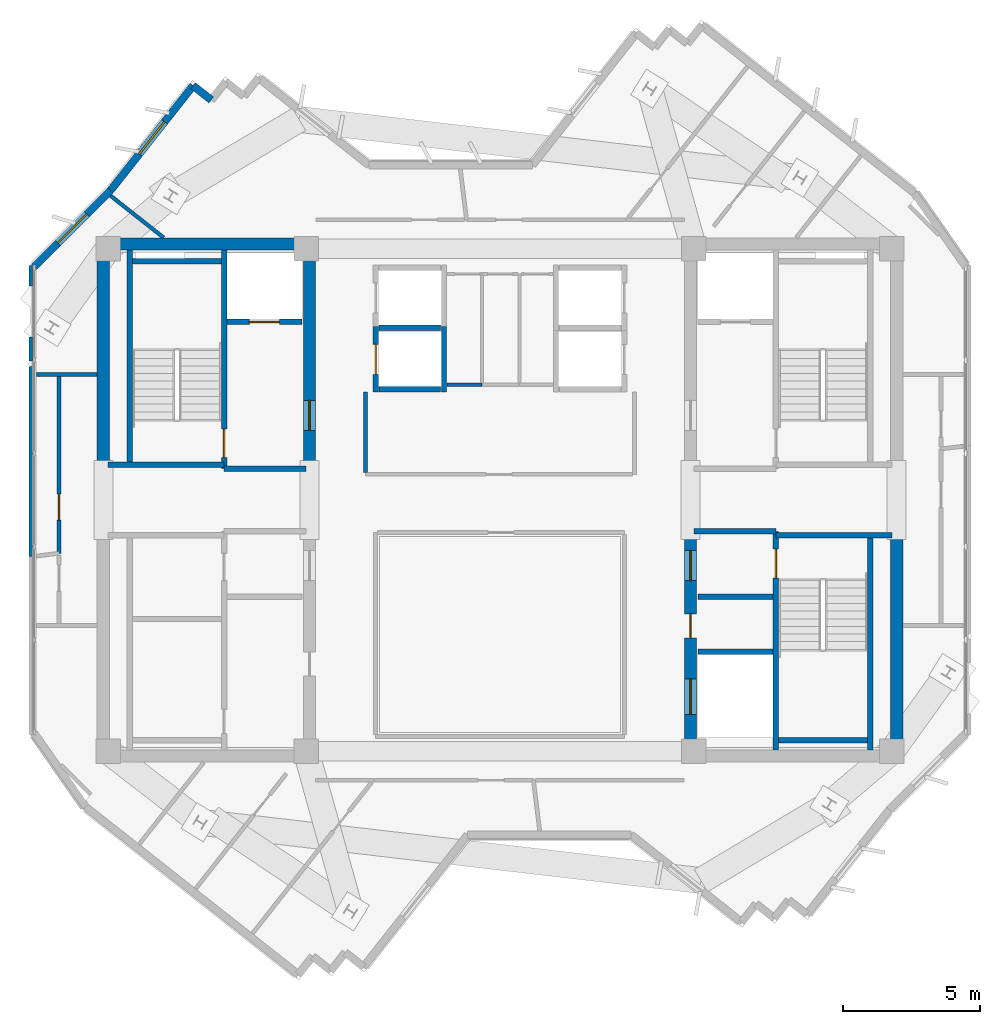
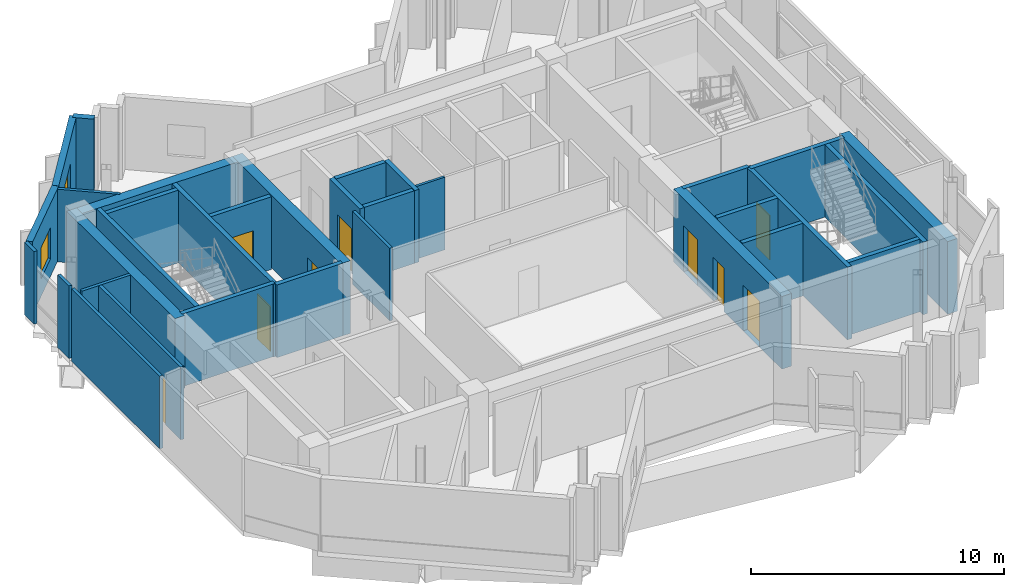
# One storey, part 6 of 10: 33 walls, 9 doors, 2 windows, 11 openings.
"""IFC4 building model written with IfcOpenShell, lengths in metres."""

from ifc_helpers import new_model, si_unit, direction, frame, frame_2d, origin, place, context, subcontext, project, spatial, rectangle, extrude, source, transform, mapped, material, layer, layer_set, type_object, element, fill, save


model = new_model("IFC4")

# Units and contexts
model_context = context("Model", 3, precision=1e-05, world=origin(), true_north=direction((0.0, 1.0)))
body_context = subcontext(model_context, "Body", "Model", "MODEL_VIEW")
ifc_project = project(units=[si_unit("LENGTHUNIT", "METRE"), si_unit("AREAUNIT", "SQUARE_METRE"), si_unit("VOLUMEUNIT", "CUBIC_METRE"), si_unit("PLANEANGLEUNIT", "RADIAN"), si_unit("MASSUNIT", "GRAM", prefix="KILO")], contexts=[model_context])

# Site, building, storey
site_placement = place(None, origin())
site = spatial("IfcSite", under=ifc_project, at=site_placement, CompositionType="ELEMENT")
building_placement = place(site_placement, origin())
building = spatial("IfcBuilding", under=site, at=building_placement, Name="Zahravan Cultural Tower", CompositionType="ELEMENT")
storey_placement = place(building_placement, frame((0.0, 0.0, 319.800048828125)))
storey = spatial("IfcBuildingStorey", under=building, at=storey_placement, Name="L77", CompositionType="ELEMENT", Elevation=319.800048828125)

# Wall, opening, door
ifc_material_1 = material(Name="Concrete C50/60", Category="concrete")
ifc_layer_1 = layer(ifc_material_1, 0.449951171875)
ifc_layer_set_1 = layer_set([ifc_layer_1], Name="Concrete C50/60")
wall_type_1 = type_object("IfcWallType", Name="CW-SHEAR-450-C50", PredefinedType="SHEAR", material=ifc_layer_set_1)
wall_1_placement = place(storey_placement, frame((29.02490234375, 28.050048828125, 0.0), z_axis=(0.0, 0.0, 1.0), x_axis=(0.0, 1.0, 0.0)))
wall_1 = element("IfcWall", 1, at=wall_1_placement, inside=storey, type_object=wall_type_1, Name="L77 Core Shear Wall CW-W-EN-L77", PredefinedType="SHEAR", context=body_context, shape_type="SweptSolid", body=[
    extrude(rectangle(XDim=8.550048828125, YDim=0.449951171875, at=frame_2d((4.27490234375, 0.0))), origin(), (0.0, 0.0, 1.0), 3.5),
])
opening_1_placement = place(wall_1_placement, frame((1.5, 0.0, 0.0)))
opening_1 = element("IfcOpeningElement", 2, at=opening_1_placement, cuts=wall_1, Name="Opening D-L77-06", PredefinedType="OPENING", context=body_context, shape_type="SweptSolid", body=[
    extrude(rectangle(XDim=1.10009765625, YDim=2.199951171875, at=frame_2d((0.550048828125, 1.10009765625))), frame((0.0, 0.23486328125, 0.0), z_axis=(0.0, -1.0, 0.0), x_axis=(1.0, 0.0, 0.0)), (0.0, 0.0, 1.0), 0.469970703125),
])
ifc_material_2 = material(Name="Steel ASTM A572 Grade 50", Category="steel")
door_type_1 = type_object("IfcDoorType", Name="DR-LOBBY-1100", OperationType="NOTDEFINED", PredefinedType="DOOR", material=ifc_material_2)
shared_shape_1 = source(origin(), body_context, "Body", "SweptSolid", [
    extrude(rectangle(XDim=1.10009765625, YDim=2.199951171875, at=frame_2d((0.550048828125, 1.10009765625))), frame((0.0, 0.02490234375, 0.0), z_axis=(0.0, -1.0, 0.0), x_axis=(1.0, 0.0, 0.0)), (0.0, 0.0, 1.0), 0.050048828125),
])
door_1_placement = place(opening_1_placement, origin())
door_1 = element("IfcDoor", 3, at=door_1_placement, inside=storey, type_object=door_type_1, Name="L77 Door D-L77-06", OperationType="SINGLE_SWING_RIGHT", OverallHeight=2.199951171875, OverallWidth=1.10009765625, PredefinedType="DOOR", context=body_context, shape_type="MappedRepresentation", body=[
    mapped(shared_shape_1, transform((0.0, 0.0, 0.0), x_axis=(1.0, 0.0, 0.0), y_axis=(0.0, 1.0, 0.0), z_axis=(0.0, 0.0, 1.0), scale=1.0)),
])
fill(opening_1, door_1)

# Wall, openings, doors
wall_2_placement = place(storey_placement, frame((42.97509765625, 17.39990234375, 0.0), z_axis=(0.0, 0.0, 1.0), x_axis=(0.0, 1.0, 0.0)))
wall_2 = element("IfcWall", 4, at=wall_2_placement, inside=storey, type_object=wall_type_1, Name="L77 Core Shear Wall CW-E-WS-L77", PredefinedType="SHEAR", context=body_context, shape_type="SweptSolid", body=[
    extrude(rectangle(XDim=8.550048828125, YDim=0.449951171875, at=frame_2d((4.27490234375, 0.0))), origin(), (0.0, 0.0, 1.0), 3.5),
])
opening_2_placement = place(wall_2_placement, frame((6.64990234375, 0.0, 0.0)))
opening_2 = element("IfcOpeningElement", 5, at=opening_2_placement, cuts=wall_2, Name="Opening D-L77-09", PredefinedType="OPENING", context=body_context, shape_type="SweptSolid", body=[
    extrude(rectangle(XDim=1.10009765625, YDim=2.199951171875, at=frame_2d((0.550048828125, 1.10009765625))), frame((0.0, 0.23486328125, 0.0), z_axis=(0.0, -1.0, 0.0), x_axis=(1.0, 0.0, 0.0)), (0.0, 0.0, 1.0), 0.469970703125),
])
opening_3_placement = place(wall_2_placement, frame((1.75, 0.0, 0.0)))
opening_3 = element("IfcOpeningElement", 6, at=opening_3_placement, cuts=wall_2, Name="Opening LD-L77-03", PredefinedType="OPENING", context=body_context, shape_type="SweptSolid", body=[
    extrude(rectangle(XDim=1.300048828125, YDim=2.199951171875, at=frame_2d((0.64990234375, 1.10009765625))), frame((0.0, 0.23486328125, 0.0), z_axis=(0.0, -1.0, 0.0), x_axis=(1.0, 0.0, 0.0)), (0.0, 0.0, 1.0), 0.469970703125),
])
opening_4_placement = place(wall_2_placement, frame((4.550048828125, 0.0, 0.0)))
opening_4 = element("IfcOpeningElement", 7, at=opening_4_placement, cuts=wall_2, Name="Opening D-L77-11", PredefinedType="OPENING", context=body_context, shape_type="SweptSolid", body=[
    extrude(rectangle(XDim=0.8798828125, YDim=2.10009765625, at=frame_2d((0.43994140625, 1.050048828125))), frame((0.0, 0.23486328125, 0.0), z_axis=(0.0, -1.0, 0.0), x_axis=(1.0, 0.0, 0.0)), (0.0, 0.0, 1.0), 0.469970703125),
])
door_2_placement = place(opening_2_placement, origin())
door_2 = element("IfcDoor", 8, at=door_2_placement, inside=storey, type_object=door_type_1, Name="L77 Door D-L77-09", OperationType="SINGLE_SWING_LEFT", OverallHeight=2.199951171875, OverallWidth=1.10009765625, PredefinedType="DOOR", context=body_context, shape_type="MappedRepresentation", body=[
    mapped(shared_shape_1, transform((0.0, 0.0, 0.0), x_axis=(1.0, 0.0, 0.0), y_axis=(0.0, 1.0, 0.0), z_axis=(0.0, 0.0, 1.0), scale=1.0)),
])
fill(opening_2, door_2)
door_type_2 = type_object("IfcDoorType", Name="DR-LIFT-1300", OperationType="DOUBLE_DOOR_SLIDING", PredefinedType="DOOR", material=ifc_material_2)
shared_shape_2 = source(origin(), body_context, "Body", "SweptSolid", [
    extrude(rectangle(XDim=1.300048828125, YDim=2.199951171875, at=frame_2d((0.64990234375, 1.10009765625))), frame((0.0, 0.02490234375, 0.0), z_axis=(0.0, -1.0, 0.0), x_axis=(1.0, 0.0, 0.0)), (0.0, 0.0, 1.0), 0.050048828125),
])
door_3_placement = place(opening_3_placement, origin())
door_3 = element("IfcDoor", 9, at=door_3_placement, inside=storey, type_object=door_type_2, Name="L77 Door LD-L77-03", OperationType="DOUBLE_DOOR_SLIDING", OverallHeight=2.199951171875, OverallWidth=1.300048828125, PredefinedType="DOOR", context=body_context, shape_type="MappedRepresentation", body=[
    mapped(shared_shape_2, transform((0.0, 0.0, 0.0), x_axis=(1.0, 0.0, 0.0), y_axis=(0.0, 1.0, 0.0), z_axis=(0.0, 0.0, 1.0), scale=1.0)),
])
fill(opening_3, door_3)
door_type_3 = type_object("IfcDoorType", Name="DR-SVC-880", OperationType="NOTDEFINED", PredefinedType="DOOR", material=ifc_material_2)
shared_shape_3 = source(origin(), body_context, "Body", "SweptSolid", [
    extrude(rectangle(XDim=0.8798828125, YDim=2.10009765625, at=frame_2d((0.43994140625, 1.050048828125))), frame((0.0, 0.02490234375, 0.0), z_axis=(0.0, -1.0, 0.0), x_axis=(1.0, 0.0, 0.0)), (0.0, 0.0, 1.0), 0.050048828125),
])
door_4_placement = place(opening_4_placement, origin())
door_4 = element("IfcDoor", 10, at=door_4_placement, inside=storey, type_object=door_type_3, Name="L77 Door D-L77-11", OperationType="SINGLE_SWING_LEFT", OverallHeight=2.10009765625, OverallWidth=0.8798828125, PredefinedType="DOOR", context=body_context, shape_type="MappedRepresentation", body=[
    mapped(shared_shape_3, transform((0.0, 0.0, 0.0), x_axis=(1.0, 0.0, 0.0), y_axis=(0.0, 1.0, 0.0), z_axis=(0.0, 0.0, 1.0), scale=1.0)),
])
fill(opening_4, door_4)

# Wall, opening, window
ifc_material_3 = material(Name="Precast concrete C40/50", Category="concrete")
ifc_layer_2 = layer(ifc_material_3, 0.280029296875)
ifc_layer_set_2 = layer_set([ifc_layer_2], Name="Precast concrete C40/50")
wall_type_2 = type_object("IfcWallType", Name="EW-TC-280", PredefinedType="SOLIDWALL", material=ifc_layer_set_2)
wall_3_placement = place(storey_placement, frame((18.93994140625, 35.5419921875, 0.0), z_axis=(0.0, 0.0, 1.0), x_axis=(0.707106781187, 0.707106781187, 0.0)))
wall_3 = element("IfcWall", 11, at=wall_3_placement, inside=storey, type_object=wall_type_2, Name="L77 Exterior Masonry Frame Wall 01", PredefinedType="SOLIDWALL", context=body_context, shape_type="SweptSolid", body=[
    extrude(rectangle(XDim=3.96337890625, YDim=0.280029296875, at=frame_2d((1.981689453125, 0.0))), origin(), (0.0, 0.0, 1.0), 3.5),
])
opening_5_placement = place(wall_3_placement, frame((1.23193359375, 0.0, 0.85009765625)))
opening_5 = element("IfcOpeningElement", 12, at=opening_5_placement, cuts=wall_3, Name="Opening WN-03", PredefinedType="OPENING", context=body_context, shape_type="SweptSolid", body=[
    extrude(rectangle(XDim=1.5, YDim=1.5, at=frame_2d((0.75, 0.75))), frame((0.0, 0.14990234375, 0.0), z_axis=(0.0, -1.0, 0.0), x_axis=(1.0, 0.0, 0.0)), (0.0, 0.0, 1.0), 0.300048828125),
])
ifc_material_4 = material(Name="Low-E solar-control double glazing", Category="glass")
window_type = type_object("IfcWindowType", Name="WN-REC-1500X1500", PartitioningType="SINGLE_PANEL", PredefinedType="WINDOW", material=ifc_material_4)
shared_shape_4 = source(origin(), body_context, "Body", "SweptSolid", [
    extrude(rectangle(XDim=1.5, YDim=1.5, at=frame_2d((0.75, 0.75))), frame((0.0, 0.030029296875, 0.0), z_axis=(0.0, -1.0, 0.0), x_axis=(1.0, 0.0, 0.0)), (0.0, 0.0, 1.0), 0.06005859375),
])
window_1_placement = place(opening_5_placement, origin())
window_1 = element("IfcWindow", 13, at=window_1_placement, inside=storey, type_object=window_type, Name="L77 Recessed Solar Window 01", OverallHeight=1.5, OverallWidth=1.5, PartitioningType="SINGLE_PANEL", PredefinedType="WINDOW", context=body_context, shape_type="MappedRepresentation", body=[
    mapped(shared_shape_4, transform((0.0, 0.0, 0.0), x_axis=(1.0, 0.0, 0.0), y_axis=(0.0, 1.0, 0.0), z_axis=(0.0, 0.0, 1.0), scale=1.0)),
])
fill(opening_5, window_1)

wall_4_placement = place(storey_placement, frame((21.742431640625, 38.344482421875, 0.0), z_axis=(0.0, 0.0, 1.0), x_axis=(0.619093990715, 0.785316898239, 0.0)))
wall_4 = element("IfcWall", 14, at=wall_4_placement, inside=storey, type_object=wall_type_2, Name="L77 Exterior Masonry Frame Wall 02", PredefinedType="SOLIDWALL", context=body_context, shape_type="SweptSolid", body=[
    extrude(rectangle(XDim=4.877685546875, YDim=0.280029296875, at=frame_2d((2.43896484375, 0.0))), origin(), (0.0, 0.0, 1.0), 3.5),
])
opening_6_placement = place(wall_4_placement, frame((1.68896484375, 0.0, 0.85009765625)))
opening_6 = element("IfcOpeningElement", 15, at=opening_6_placement, cuts=wall_4, Name="Opening WN-03", PredefinedType="OPENING", context=body_context, shape_type="SweptSolid", body=[
    extrude(rectangle(XDim=1.5, YDim=1.5, at=frame_2d((0.75, 0.75))), frame((0.0, 0.14990234375, 0.0), z_axis=(0.0, -1.0, 0.0), x_axis=(1.0, 0.0, 0.0)), (0.0, 0.0, 1.0), 0.300048828125),
])
window_2_placement = place(opening_6_placement, origin())
window_2 = element("IfcWindow", 16, at=window_2_placement, inside=storey, type_object=window_type, Name="L77 Recessed Solar Window 02", OverallHeight=1.5, OverallWidth=1.5, PartitioningType="SINGLE_PANEL", PredefinedType="WINDOW", context=body_context, shape_type="MappedRepresentation", body=[
    mapped(shared_shape_4, transform((0.0, 0.0, 0.0), x_axis=(1.0, 0.0, 0.0), y_axis=(0.0, 1.0, 0.0), z_axis=(0.0, 0.0, 1.0), scale=1.0)),
])
fill(opening_6, window_2)

# Wall, opening, door
ifc_material_5 = material(Name="Gypsum plasterboard partition")
ifc_layer_3 = layer(ifc_material_5, 0.139892578125)
ifc_layer_set_3 = layer_set([ifc_layer_3], Name="Gypsum plasterboard partition")
wall_type_3 = type_object("IfcWallType", Name="W-PART-140", PredefinedType="PARTITIONING", material=ifc_layer_set_3)
wall_5_placement = place(storey_placement, frame((19.8525390625, 31.522705078125, 0.0), z_axis=(0.0, 0.0, 1.0), x_axis=(-0.000377187662, -0.999999928865, 0.0)))
wall_5 = element("IfcWall", 17, at=wall_5_placement, inside=storey, type_object=wall_type_3, Name="L77 Interior Wall 058", PredefinedType="PARTITIONING", context=body_context, shape_type="SweptSolid", body=[
    extrude(rectangle(XDim=6.47265625, YDim=0.139892578125, at=frame_2d((3.236328125, 0.0))), origin(), (0.0, 0.0, 1.0), 3.5),
])
opening_7_placement = place(wall_5_placement, frame((4.3076171875, 0.0, 0.0)))
opening_7 = element("IfcOpeningElement", 18, at=opening_7_placement, cuts=wall_5, Name="Opening D-L77-20", PredefinedType="OPENING", context=body_context, shape_type="SweptSolid", body=[
    extrude(rectangle(XDim=0.949951171875, YDim=2.14990234375, at=frame_2d((0.47509765625, 1.074951171875))), frame((0.0, 0.079833984375, 0.0), z_axis=(0.0, -1.0, 0.0), x_axis=(1.0, 0.0, 0.0)), (0.0, 0.0, 1.0), 0.159912109375),
])
ifc_material_6 = material(Name="Anodised bronze-aluminium mullion", Category="aluminium")
door_type_4 = type_object("IfcDoorType", Name="DR-ROOM-950", OperationType="NOTDEFINED", PredefinedType="DOOR", material=ifc_material_6)
shared_shape_5 = source(origin(), body_context, "Body", "SweptSolid", [
    extrude(rectangle(XDim=0.949951171875, YDim=2.14990234375, at=frame_2d((0.47509765625, 1.074951171875))), frame((0.0, 0.02490234375, 0.0), z_axis=(0.0, -1.0, 0.0), x_axis=(1.0, 0.0, 0.0)), (0.0, 0.0, 1.0), 0.050048828125),
])
door_5_placement = place(opening_7_placement, origin())
door_5 = element("IfcDoor", 19, at=door_5_placement, inside=storey, type_object=door_type_4, Name="L77 Door D-L77-20", OperationType="SINGLE_SWING_RIGHT", OverallHeight=2.14990234375, OverallWidth=0.949951171875, PredefinedType="DOOR", context=body_context, shape_type="MappedRepresentation", body=[
    mapped(shared_shape_5, transform((0.0, 0.0, 0.0), x_axis=(1.0, 0.0, 0.0), y_axis=(0.0, 1.0, 0.0), z_axis=(0.0, 0.0, 1.0), scale=1.0)),
])
fill(opening_7, door_5)

ifc_material_7 = material(Name="Concrete C45/55", Category="concrete")
ifc_layer_4 = layer(ifc_material_7, 0.199951171875)
ifc_layer_set_4 = layer_set([ifc_layer_4], Name="Concrete C45/55")
wall_type_4 = type_object("IfcWallType", Name="W-SHAFT-200", PredefinedType="SOLIDWALL", material=ifc_layer_set_4)
wall_6_placement = place(storey_placement, frame((25.89990234375, 28.14990234375, 0.0), z_axis=(0.0, 0.0, 1.0), x_axis=(0.0, 1.0, 0.0)))
wall_6 = element("IfcWall", 20, at=wall_6_placement, inside=storey, type_object=wall_type_4, Name="L77 Interior Wall 006", PredefinedType="SOLIDWALL", context=body_context, shape_type="SweptSolid", body=[
    extrude(rectangle(XDim=8.0, YDim=0.199951171875, at=frame_2d((4.0, 0.0))), origin(), (0.0, 0.0, 1.0), 3.5),
])
opening_8_placement = place(wall_6_placement, frame((0.39990234375, 0.0, 0.0)))
opening_8 = element("IfcOpeningElement", 21, at=opening_8_placement, cuts=wall_6, Name="Opening D-L77-01", PredefinedType="OPENING", context=body_context, shape_type="SweptSolid", body=[
    extrude(rectangle(XDim=1.050048828125, YDim=2.14990234375, at=frame_2d((0.52490234375, 1.074951171875))), frame((0.0, 0.10986328125, 0.0), z_axis=(0.0, -1.0, 0.0), x_axis=(1.0, 0.0, 0.0)), (0.0, 0.0, 1.0), 0.219970703125),
])
door_type_5 = type_object("IfcDoorType", Name="DR-STAIR-1050", OperationType="NOTDEFINED", PredefinedType="DOOR", material=ifc_material_2)
shared_shape_6 = source(origin(), body_context, "Body", "SweptSolid", [
    extrude(rectangle(XDim=1.050048828125, YDim=2.14990234375, at=frame_2d((0.52490234375, 1.074951171875))), frame((0.0, 0.02490234375, 0.0), z_axis=(0.0, -1.0, 0.0), x_axis=(1.0, 0.0, 0.0)), (0.0, 0.0, 1.0), 0.050048828125),
])
door_6_placement = place(opening_8_placement, origin())
door_6 = element("IfcDoor", 22, at=door_6_placement, inside=storey, type_object=door_type_5, Name="L77 Door D-L77-01", OperationType="SINGLE_SWING_LEFT", OverallHeight=2.14990234375, OverallWidth=1.050048828125, PredefinedType="DOOR", context=body_context, shape_type="MappedRepresentation", body=[
    mapped(shared_shape_6, transform((0.0, 0.0, 0.0), x_axis=(1.0, 0.0, 0.0), y_axis=(0.0, 1.0, 0.0), z_axis=(0.0, 0.0, 1.0), scale=1.0)),
])
fill(opening_8, door_6)

wall_7_placement = place(storey_placement, frame((46.10009765625, 17.85009765625, 0.0), z_axis=(0.0, 0.0, 1.0), x_axis=(0.0, 1.0, 0.0)))
wall_7 = element("IfcWall", 23, at=wall_7_placement, inside=storey, type_object=wall_type_4, Name="L77 Interior Wall 007", PredefinedType="SOLIDWALL", context=body_context, shape_type="SweptSolid", body=[
    extrude(rectangle(XDim=8.0, YDim=0.199951171875, at=frame_2d((4.0, 0.0))), origin(), (0.0, 0.0, 1.0), 3.5),
])
opening_9_placement = place(wall_7_placement, frame((6.300048828125, 0.0, 0.0)))
opening_9 = element("IfcOpeningElement", 24, at=opening_9_placement, cuts=wall_7, Name="Opening D-L77-03", PredefinedType="OPENING", context=body_context, shape_type="SweptSolid", body=[
    extrude(rectangle(XDim=1.050048828125, YDim=2.14990234375, at=frame_2d((0.52490234375, 1.074951171875))), frame((0.0, 0.10986328125, 0.0), z_axis=(0.0, -1.0, 0.0), x_axis=(1.0, 0.0, 0.0)), (0.0, 0.0, 1.0), 0.219970703125),
])
door_7_placement = place(opening_9_placement, origin())
door_7 = element("IfcDoor", 25, at=door_7_placement, inside=storey, type_object=door_type_5, Name="L77 Door D-L77-03", OperationType="SINGLE_SWING_LEFT", OverallHeight=2.14990234375, OverallWidth=1.050048828125, PredefinedType="DOOR", context=body_context, shape_type="MappedRepresentation", body=[
    mapped(shared_shape_6, transform((0.0, 0.0, 0.0), x_axis=(1.0, 0.0, 0.0), y_axis=(0.0, 1.0, 0.0), z_axis=(0.0, 0.0, 1.0), scale=1.0)),
])
fill(opening_9, door_7)

wall_8_placement = place(storey_placement, frame((26.0, 33.52001953125, 0.0), z_axis=(0.0, 0.0, 1.0), x_axis=(1.0, 0.0, 0.0)))
wall_8 = element("IfcWall", 26, at=wall_8_placement, inside=storey, type_object=wall_type_4, Name="L77 Interior Wall 022", PredefinedType="SOLIDWALL", context=body_context, shape_type="SweptSolid", body=[
    extrude(rectangle(XDim=2.75, YDim=0.199951171875, at=frame_2d((1.375, 0.0))), origin(), (0.0, 0.0, 1.0), 3.5),
])
opening_10_placement = place(wall_8_placement, frame((0.820068359375, 0.0, 0.0)))
opening_10 = element("IfcOpeningElement", 27, at=opening_10_placement, cuts=wall_8, Name="Opening LD-L77-01", PredefinedType="OPENING", context=body_context, shape_type="SweptSolid", body=[
    extrude(rectangle(XDim=1.10009765625, YDim=2.14990234375, at=frame_2d((0.550048828125, 1.074951171875))), frame((0.0, 0.10986328125, 0.0), z_axis=(0.0, -1.0, 0.0), x_axis=(1.0, 0.0, 0.0)), (0.0, 0.0, 1.0), 0.219970703125),
])
door_type_6 = type_object("IfcDoorType", Name="DR-LIFT-1100", OperationType="DOUBLE_DOOR_SLIDING", PredefinedType="DOOR", material=ifc_material_2)
shared_shape_7 = source(origin(), body_context, "Body", "SweptSolid", [
    extrude(rectangle(XDim=1.10009765625, YDim=2.14990234375, at=frame_2d((0.550048828125, 1.074951171875))), frame((0.0, 0.02490234375, 0.0), z_axis=(0.0, -1.0, 0.0), x_axis=(1.0, 0.0, 0.0)), (0.0, 0.0, 1.0), 0.050048828125),
])
door_8_placement = place(opening_10_placement, origin())
door_8 = element("IfcDoor", 28, at=door_8_placement, inside=storey, type_object=door_type_6, Name="L77 Door LD-L77-01", OperationType="DOUBLE_DOOR_SLIDING", OverallHeight=2.14990234375, OverallWidth=1.10009765625, PredefinedType="DOOR", context=body_context, shape_type="MappedRepresentation", body=[
    mapped(shared_shape_7, transform((0.0, 0.0, 0.0), x_axis=(1.0, 0.0, 0.0), y_axis=(0.0, 1.0, 0.0), z_axis=(0.0, 0.0, 1.0), scale=1.0)),
])
fill(opening_10, door_8)

wall_9_placement = place(storey_placement, frame((31.449951171875, 30.949951171875, 0.0), z_axis=(0.0, 0.0, 1.0), x_axis=(0.0, 1.0, 0.0)))
wall_9 = element("IfcWall", 29, at=wall_9_placement, inside=storey, type_object=wall_type_4, Name="L77 Interior Wall 031", PredefinedType="SOLIDWALL", context=body_context, shape_type="SweptSolid", body=[
    extrude(rectangle(XDim=2.400146484375, YDim=0.199951171875, at=frame_2d((1.2001953125, 0.0))), origin(), (0.0, 0.0, 1.0), 3.5),
])
opening_11_placement = place(wall_9_placement, frame((0.64990234375, 0.0, 0.0)))
opening_11 = element("IfcOpeningElement", 30, at=opening_11_placement, cuts=wall_9, Name="Opening LD-L77-05", PredefinedType="OPENING", context=body_context, shape_type="SweptSolid", body=[
    extrude(rectangle(XDim=1.10009765625, YDim=2.14990234375, at=frame_2d((0.550048828125, 1.074951171875))), frame((0.0, 0.10986328125, 0.0), z_axis=(0.0, -1.0, 0.0), x_axis=(1.0, 0.0, 0.0)), (0.0, 0.0, 1.0), 0.219970703125),
])
door_9_placement = place(opening_11_placement, origin())
door_9 = element("IfcDoor", 31, at=door_9_placement, inside=storey, type_object=door_type_6, Name="L77 Door LD-L77-05", OperationType="DOUBLE_DOOR_SLIDING", OverallHeight=2.14990234375, OverallWidth=1.10009765625, PredefinedType="DOOR", context=body_context, shape_type="MappedRepresentation", body=[
    mapped(shared_shape_7, transform((0.0, 0.0, 0.0), x_axis=(1.0, 0.0, 0.0), y_axis=(0.0, 1.0, 0.0), z_axis=(0.0, 0.0, 1.0), scale=1.0)),
])
fill(opening_11, door_9)

# Walls
shared_shape_8 = source(origin(), body_context, "Body", "SweptSolid", [
    extrude(rectangle(XDim=8.550048828125, YDim=0.449951171875, at=frame_2d((4.27490234375, 0.0))), origin(), (0.0, 0.0, 1.0), 3.5),
])
for number, where, z_axis, x_axis, name in (
    (32, (21.47509765625, 28.050048828125, 0.0), (0.0, 0.0, 1.0), (0.0, 1.0, 0.0), "L77 Core Shear Wall CW-W-WN-L77"),
    (33, (50.52490234375, 17.39990234375, 0.0), (0.0, 0.0, 1.0), (0.0, 1.0, 0.0), "L77 Core Shear Wall CW-E-ES-L77"),
):
    element("IfcWall", number, at=place(storey_placement, frame(where, z_axis=z_axis, x_axis=x_axis)), inside=storey, type_object=wall_type_1, Name=name, PredefinedType="SHEAR", context=body_context, shape_type="MappedRepresentation", body=[
        mapped(shared_shape_8, transform((0.0, 0.0, 0.0), x_axis=(1.0, 0.0, 0.0), y_axis=(0.0, 1.0, 0.0), z_axis=(0.0, 0.0, 1.0), scale=1.0)),
    ])
shared_shape_9 = source(origin(), body_context, "Body", "SweptSolid", [
    extrude(rectangle(XDim=7.10009765625, YDim=0.449951171875, at=frame_2d((3.550048828125, 0.0))), origin(), (0.0, 0.0, 1.0), 3.5),
])
wall_10_placement = place(storey_placement, frame((21.699951171875, 36.375, 0.0), z_axis=(0.0, 0.0, 1.0), x_axis=(1.0, 0.0, 0.0)))
element("IfcWall", 34, at=wall_10_placement, inside=storey, type_object=wall_type_1, Name="L77 Core Shear Wall CW-W-N-L77", PredefinedType="SHEAR", context=body_context, shape_type="MappedRepresentation", body=[
    mapped(shared_shape_9, transform((0.0, 0.0, 0.0), x_axis=(1.0, 0.0, 0.0), y_axis=(0.0, 1.0, 0.0), z_axis=(0.0, 0.0, 1.0), scale=1.0)),
])
shared_shape_10 = source(origin(), body_context, "Body", "SweptSolid", [
    extrude(rectangle(XDim=0.849853515625, YDim=0.280029296875, at=frame_2d((0.4248046875, 0.0))), origin(), (0.0, 0.0, 1.0), 3.5),
])
wall_11_placement = place(storey_placement, frame((24.76220703125, 42.175048828125, 0.0), z_axis=(0.0, 0.0, 1.0), x_axis=(0.785360476625, -0.619038707801, 0.0)))
element("IfcWall", 35, at=wall_11_placement, inside=storey, type_object=wall_type_2, Name="L77 Exterior Masonry Frame Wall 03", PredefinedType="SOLIDWALL", context=body_context, shape_type="MappedRepresentation", body=[
    mapped(shared_shape_10, transform((0.0, 0.0, 0.0), x_axis=(1.0, 0.0, 0.0), y_axis=(0.0, 1.0, 0.0), z_axis=(0.0, 0.0, 1.0), scale=1.0)),
])
shared_shape_11 = source(origin(), body_context, "Body", "SweptSolid", [
    extrude(rectangle(XDim=7.869873046875, YDim=0.199951171875, at=frame_2d((3.93505859375, 0.0))), origin(), (0.0, 0.0, 1.0), 3.5),
])
for number, where, z_axis, x_axis, name in (
    (36, (22.449951171875, 28.280029296875, 0.0), (0.0, 0.0, 1.0), (0.0, 1.0, 0.0), "L77 Interior Wall 002"),
    (37, (49.550048828125, 17.85009765625, 0.0), (0.0, 0.0, 1.0), (0.0, 1.0, 0.0), "L77 Interior Wall 003"),
):
    element("IfcWall", number, at=place(storey_placement, frame(where, z_axis=z_axis, x_axis=x_axis)), inside=storey, type_object=wall_type_4, Name=name, PredefinedType="SOLIDWALL", context=body_context, shape_type="MappedRepresentation", body=[
        mapped(shared_shape_11, transform((0.0, 0.0, 0.0), x_axis=(1.0, 0.0, 0.0), y_axis=(0.0, 1.0, 0.0), z_axis=(0.0, 0.0, 1.0), scale=1.0)),
    ])
shared_shape_12 = source(origin(), body_context, "Body", "SweptSolid", [
    extrude(rectangle(XDim=4.25, YDim=0.199951171875, at=frame_2d((2.125, 0.0))), origin(), (0.0, 0.0, 1.0), 3.5),
])
for number, where, z_axis, x_axis, name in (
    (38, (21.64990234375, 28.284912109375, 0.0), (0.0, 0.0, 1.0), (1.0, 0.0, 0.0), "L77 Interior Wall 011"),
    (39, (46.10009765625, 25.715087890625, 0.0), (0.0, 0.0, 1.0), (1.0, 0.0, 0.0), "L77 Interior Wall 014"),
):
    element("IfcWall", number, at=place(storey_placement, frame(where, z_axis=z_axis, x_axis=x_axis)), inside=storey, type_object=wall_type_4, Name=name, PredefinedType="SOLIDWALL", context=body_context, shape_type="MappedRepresentation", body=[
        mapped(shared_shape_12, transform((0.0, 0.0, 0.0), x_axis=(1.0, 0.0, 0.0), y_axis=(0.0, 1.0, 0.0), z_axis=(0.0, 0.0, 1.0), scale=1.0)),
    ])
shared_shape_13 = source(origin(), body_context, "Body", "SweptSolid", [
    extrude(rectangle(XDim=3.0, YDim=0.199951171875, at=frame_2d((1.5, 0.0))), origin(), (0.0, 0.0, 1.0), 3.5),
])
for number, where, z_axis, x_axis, name in (
    (40, (25.89990234375, 28.14990234375, 0.0), (0.0, 0.0, 1.0), (1.0, 0.0, 0.0), "L77 Interior Wall 012"),
    (41, (43.10009765625, 25.85009765625, 0.0), (0.0, 0.0, 1.0), (1.0, 0.0, 0.0), "L77 Interior Wall 013"),
):
    element("IfcWall", number, at=place(storey_placement, frame(where, z_axis=z_axis, x_axis=x_axis)), inside=storey, type_object=wall_type_4, Name=name, PredefinedType="SOLIDWALL", context=body_context, shape_type="MappedRepresentation", body=[
        mapped(shared_shape_13, transform((0.0, 0.0, 0.0), x_axis=(1.0, 0.0, 0.0), y_axis=(0.0, 1.0, 0.0), z_axis=(0.0, 0.0, 1.0), scale=1.0)),
    ])
shared_shape_14 = source(origin(), body_context, "Body", "SweptSolid", [
    extrude(rectangle(XDim=3.25, YDim=0.199951171875, at=frame_2d((1.625, 0.0))), origin(), (0.0, 0.0, 1.0), 3.5),
])
for number, where, z_axis, x_axis, name in (
    (42, (22.550048828125, 35.75, 0.0), (0.0, 0.0, 1.0), (1.0, 0.0, 0.0), "L77 Interior Wall 017"),
    (43, (46.199951171875, 18.199951171875, 0.0), (0.0, 0.0, 1.0), (1.0, 0.0, 0.0), "L77 Interior Wall 020"),
):
    element("IfcWall", number, at=place(storey_placement, frame(where, z_axis=z_axis, x_axis=x_axis)), inside=storey, type_object=wall_type_4, Name=name, PredefinedType="SOLIDWALL", context=body_context, shape_type="MappedRepresentation", body=[
        mapped(shared_shape_14, transform((0.0, 0.0, 0.0), x_axis=(1.0, 0.0, 0.0), y_axis=(0.0, 1.0, 0.0), z_axis=(0.0, 0.0, 1.0), scale=1.0)),
    ])
shared_shape_15 = source(origin(), body_context, "Body", "SweptSolid", [
    extrude(rectangle(XDim=2.75, YDim=0.199951171875, at=frame_2d((1.375, 0.0))), origin(), (0.0, 0.0, 1.0), 3.5),
])
for number, where, z_axis, x_axis, name in (
    (44, (43.25, 23.449951171875, 0.0), (0.0, 0.0, 1.0), (1.0, 0.0, 0.0), "L77 Interior Wall 025"),
    (45, (43.25, 21.449951171875, 0.0), (0.0, 0.0, 1.0), (1.0, 0.0, 0.0), "L77 Interior Wall 026"),
):
    element("IfcWall", number, at=place(storey_placement, frame(where, z_axis=z_axis, x_axis=x_axis)), inside=storey, type_object=wall_type_4, Name=name, PredefinedType="SOLIDWALL", context=body_context, shape_type="MappedRepresentation", body=[
        mapped(shared_shape_15, transform((0.0, 0.0, 0.0), x_axis=(1.0, 0.0, 0.0), y_axis=(0.0, 1.0, 0.0), z_axis=(0.0, 0.0, 1.0), scale=1.0)),
    ])
shared_shape_16 = source(origin(), body_context, "Body", "SweptSolid", [
    extrude(rectangle(XDim=2.400146484375, YDim=0.199951171875, at=frame_2d((1.2001953125, 0.0))), origin(), (0.0, 0.0, 1.0), 3.5),
])
wall_12_placement = place(storey_placement, frame((33.949951171875, 30.949951171875, 0.0), z_axis=(0.0, 0.0, 1.0), x_axis=(0.0, 1.0, 0.0)))
element("IfcWall", 46, at=wall_12_placement, inside=storey, type_object=wall_type_4, Name="L77 Interior Wall 032", PredefinedType="SOLIDWALL", context=body_context, shape_type="MappedRepresentation", body=[
    mapped(shared_shape_16, transform((0.0, 0.0, 0.0), x_axis=(1.0, 0.0, 0.0), y_axis=(0.0, 1.0, 0.0), z_axis=(0.0, 0.0, 1.0), scale=1.0)),
])
shared_shape_17 = source(origin(), body_context, "Body", "SweptSolid", [
    extrude(rectangle(XDim=2.260009765625, YDim=0.199951171875, at=frame_2d((1.1298828125, 0.0))), origin(), (0.0, 0.0, 1.0), 3.5),
])
for number, where, z_axis, x_axis, name in (
    (47, (31.570068359375, 33.300048828125, 0.0), (0.0, 0.0, 1.0), (1.0, 0.0, 0.0), "L77 Interior Wall 029"),
    (48, (31.570068359375, 31.050048828125, 0.0), (0.0, 0.0, 1.0), (1.0, 0.0, 0.0), "L77 Interior Wall 033"),
):
    element("IfcWall", number, at=place(storey_placement, frame(where, z_axis=z_axis, x_axis=x_axis)), inside=storey, type_object=wall_type_4, Name=name, PredefinedType="SOLIDWALL", context=body_context, shape_type="MappedRepresentation", body=[
        mapped(shared_shape_17, transform((0.0, 0.0, 0.0), x_axis=(1.0, 0.0, 0.0), y_axis=(0.0, 1.0, 0.0), z_axis=(0.0, 0.0, 1.0), scale=1.0)),
    ])
ifc_layer_5 = layer(ifc_material_5, 0.114990234375)
ifc_layer_set_5 = layer_set([ifc_layer_5], Name="Gypsum plasterboard partition")
wall_type_5 = type_object("IfcWallType", Name="W-WC-115", PredefinedType="PARTITIONING", material=ifc_layer_set_5)
shared_shape_18 = source(origin(), body_context, "Body", "SweptSolid", [
    extrude(rectangle(XDim=1.28515625, YDim=0.114990234375, at=frame_2d((0.642578125, 0.0))), origin(), (0.0, 0.0, 1.0), 3.5),
])
wall_13_placement = place(storey_placement, frame((35.340087890625, 31.219970703125, 0.0), z_axis=(0.0, 0.0, 1.0), x_axis=(-1.0, 0.0, 0.0)))
element("IfcWall", 49, at=wall_13_placement, inside=storey, type_object=wall_type_5, Name="L77 Interior Wall 044", PredefinedType="PARTITIONING", context=body_context, shape_type="MappedRepresentation", body=[
    mapped(shared_shape_18, transform((0.0, 0.0, 0.0), x_axis=(1.0, 0.0, 0.0), y_axis=(0.0, 1.0, 0.0), z_axis=(0.0, 0.0, 1.0), scale=1.0)),
])
shared_shape_19 = source(origin(), body_context, "Body", "SweptSolid", [
    extrude(rectangle(XDim=2.93505859375, YDim=0.139892578125, at=frame_2d((1.467529296875, 0.0))), origin(), (0.0, 0.0, 1.0), 3.5),
])
wall_14_placement = place(storey_placement, frame((31.080078125, 28.014892578125, 0.0), z_axis=(0.0, 0.0, 1.0), x_axis=(0.0, 1.0, 0.0)))
element("IfcWall", 50, at=wall_14_placement, inside=storey, type_object=wall_type_3, Name="L77 Interior Wall 075", PredefinedType="PARTITIONING", context=body_context, shape_type="MappedRepresentation", body=[
    mapped(shared_shape_19, transform((0.0, 0.0, 0.0), x_axis=(1.0, 0.0, 0.0), y_axis=(0.0, 1.0, 0.0), z_axis=(0.0, 0.0, 1.0), scale=1.0)),
])
shared_shape_20 = source(origin(), body_context, "Body", "SweptSolid", [
    extrude(rectangle(XDim=2.215087890625, YDim=0.139892578125, at=frame_2d((1.107421875, 0.0))), origin(), (0.0, 0.0, 1.0), 3.5),
])
wall_15_placement = place(storey_placement, frame((21.2451171875, 31.599853515625, 0.0), z_axis=(0.0, 0.0, 1.0), x_axis=(-0.999998633374, -0.001653254657, 0.0)))
element("IfcWall", 51, at=wall_15_placement, inside=storey, type_object=wall_type_3, Name="L77 Interior Wall 057", PredefinedType="PARTITIONING", context=body_context, shape_type="MappedRepresentation", body=[
    mapped(shared_shape_20, transform((0.0, 0.0, 0.0), x_axis=(1.0, 0.0, 0.0), y_axis=(0.0, 1.0, 0.0), z_axis=(0.0, 0.0, 1.0), scale=1.0)),
])
shared_shape_21 = source(origin(), body_context, "Body", "SweptSolid", [
    extrude(rectangle(XDim=6.968017578125, YDim=0.139892578125, at=frame_2d((3.48388671875, 0.0))), origin(), (0.0, 0.0, 1.0), 3.5),
])
wall_16_placement = place(storey_placement, frame((18.820068359375, 24.92333984375, 0.0), z_axis=(0.0, 0.0, 1.0), x_axis=(0.0, 1.0, 0.0)))
element("IfcWall", 52, at=wall_16_placement, inside=storey, type_object=wall_type_3, Name="L77 Interior Wall 060", PredefinedType="PARTITIONING", context=body_context, shape_type="MappedRepresentation", body=[
    mapped(shared_shape_21, transform((0.0, 0.0, 0.0), x_axis=(1.0, 0.0, 0.0), y_axis=(0.0, 1.0, 0.0), z_axis=(0.0, 0.0, 1.0), scale=1.0)),
])
shared_shape_22 = source(origin(), body_context, "Body", "SweptSolid", [
    extrude(rectangle(XDim=0.882080078125, YDim=0.139892578125, at=frame_2d((0.44091796875, 0.0))), origin(), (0.0, 0.0, 1.0), 3.5),
])
wall_17_placement = place(storey_placement, frame((18.819580078125, 32.0947265625, 0.0), z_axis=(0.0, 0.0, 1.0), x_axis=(0.000553556516, 0.999999846788, 0.0)))
element("IfcWall", 53, at=wall_17_placement, inside=storey, type_object=wall_type_3, Name="L77 Interior Wall 061", PredefinedType="PARTITIONING", context=body_context, shape_type="MappedRepresentation", body=[
    mapped(shared_shape_22, transform((0.0, 0.0, 0.0), x_axis=(1.0, 0.0, 0.0), y_axis=(0.0, 1.0, 0.0), z_axis=(0.0, 0.0, 1.0), scale=1.0)),
])
shared_shape_23 = source(origin(), body_context, "Body", "SweptSolid", [
    extrude(rectangle(XDim=0.76171875, YDim=0.139892578125, at=frame_2d((0.380859375, 0.0))), origin(), (0.0, 0.0, 1.0), 3.5),
])
wall_18_placement = place(storey_placement, frame((18.81689453125, 34.830078125, 0.0), z_axis=(0.0, 0.0, 1.0), x_axis=(0.004166630498, 0.999991319557, 0.0)))
element("IfcWall", 54, at=wall_18_placement, inside=storey, type_object=wall_type_3, Name="L77 Interior Wall 062", PredefinedType="PARTITIONING", context=body_context, shape_type="MappedRepresentation", body=[
    mapped(shared_shape_23, transform((0.0, 0.0, 0.0), x_axis=(1.0, 0.0, 0.0), y_axis=(0.0, 1.0, 0.0), z_axis=(0.0, 0.0, 1.0), scale=1.0)),
])
shared_shape_24 = source(origin(), body_context, "Body", "SweptSolid", [
    extrude(rectangle(XDim=2.47705078125, YDim=0.139892578125, at=frame_2d((1.238525390625, 0.0))), origin(), (0.0, 0.0, 1.0), 3.5),
])
wall_19_placement = place(storey_placement, frame((21.74169921875, 38.138427734375, 0.0), z_axis=(0.0, 0.0, 1.0), x_axis=(0.785339198937, -0.619065701371, 0.0)))
element("IfcWall", 55, at=wall_19_placement, inside=storey, type_object=wall_type_3, Name="L77 Interior Wall 063", PredefinedType="PARTITIONING", context=body_context, shape_type="MappedRepresentation", body=[
    mapped(shared_shape_24, transform((0.0, 0.0, 0.0), x_axis=(1.0, 0.0, 0.0), y_axis=(0.0, 1.0, 0.0), z_axis=(0.0, 0.0, 1.0), scale=1.0)),
])

save(model, "model.ifc")
